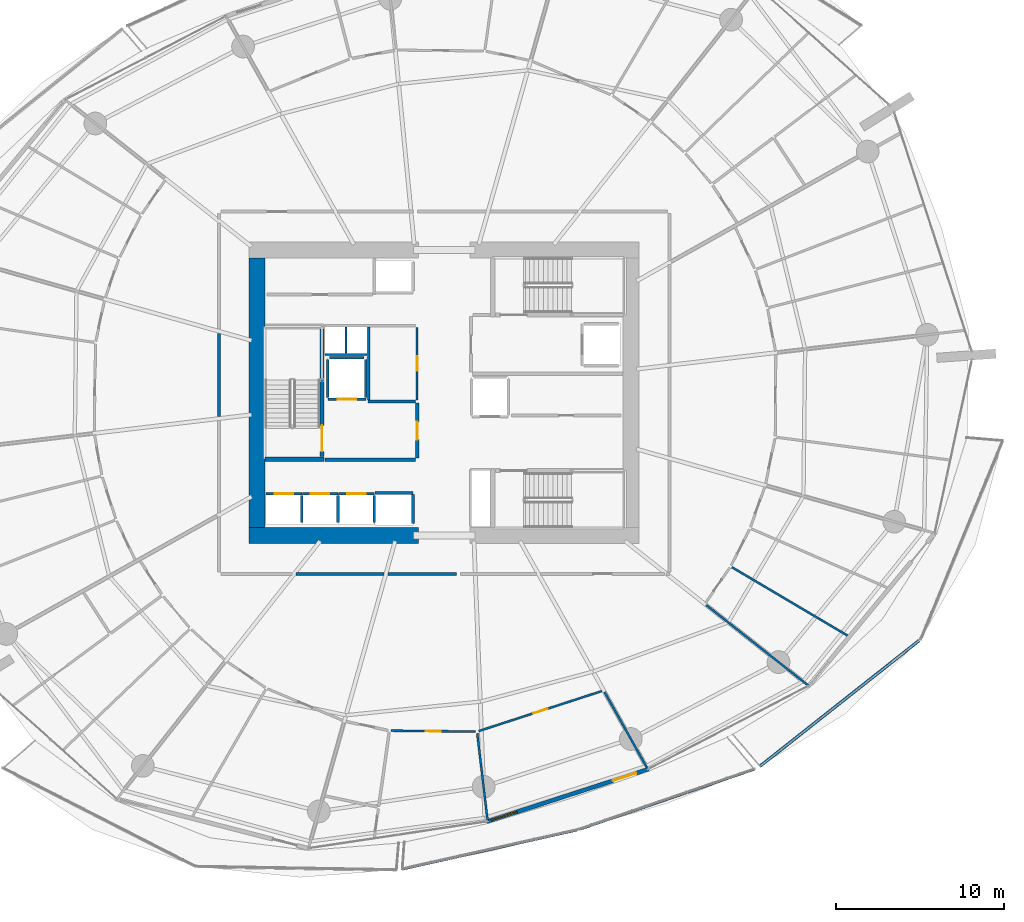
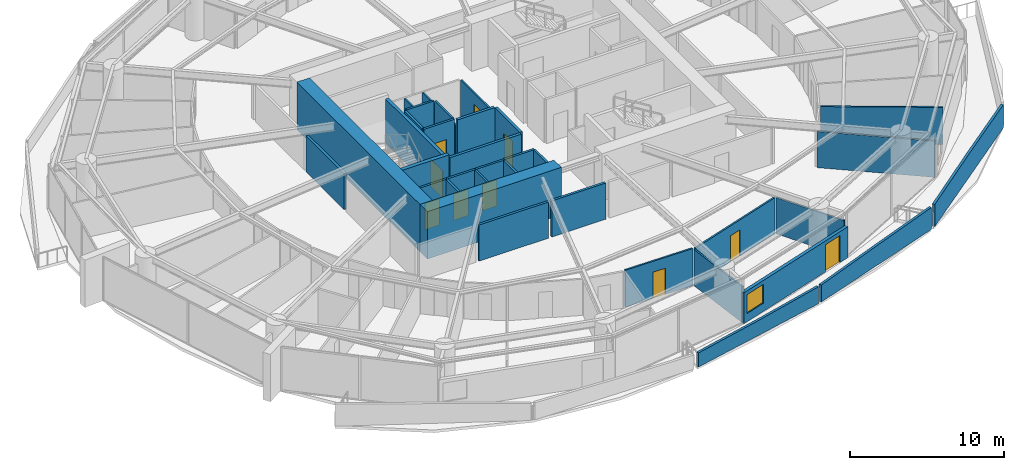
# One storey, part 20 of 31: 36 walls, 10 doors, 1 window, 11 openings.
"""IFC4 building model written with IfcOpenShell, lengths in metres."""

from ifc_helpers import new_model, si_unit, direction, frame, frame_2d, origin, place, context, subcontext, project, spatial, polyline, rectangle, outline, extrude, material, layer, layer_set, type_object, element, fill, save


model = new_model("IFC4")

# Units and contexts
model_context = context("Model", 3, precision=1e-05, world=origin(), true_north=direction((0.0, 1.0)))
body_context = subcontext(model_context, "Body", "Model", "MODEL_VIEW")
ifc_project = project(units=[si_unit("LENGTHUNIT", "METRE"), si_unit("AREAUNIT", "SQUARE_METRE"), si_unit("VOLUMEUNIT", "CUBIC_METRE"), si_unit("PLANEANGLEUNIT", "RADIAN"), si_unit("MASSUNIT", "GRAM", prefix="KILO")], contexts=[model_context])

# Site, building, storey
site_placement = place(None, origin())
site = spatial("IfcSite", under=ifc_project, at=site_placement, CompositionType="ELEMENT")
building_placement = place(site_placement, origin())
building = spatial("IfcBuilding", under=site, at=building_placement, Name="Kazma Halo Residences", CompositionType="ELEMENT")
storey_placement = place(building_placement, frame((0.0, 0.0, 33.89990234375)))
storey = spatial("IfcBuildingStorey", under=building, at=storey_placement, Name="L07", CompositionType="ELEMENT", Elevation=33.89990234375)

# Walls
ifc_material_1 = material(Name="White Concrete C50/60 Balustrade", Category="concrete")
ifc_layer_1 = layer(ifc_material_1, 0.179931640625)
ifc_layer_set_1 = layer_set([ifc_layer_1], Name="White Concrete C50/60 Balustrade")
wall_type_1 = type_object("IfcWallType", Name="WL-BAL-WAVE-180", PredefinedType="PARAPET", material=ifc_layer_set_1)
wall_1_placement = place(storey_placement, frame((45.949462890625, 13.738525390625, 0.0), z_axis=(0.0, 0.0, 1.0), x_axis=(0.975844238529, 0.218467439518, 0.0)))
element("IfcWall", 1, at=wall_1_placement, inside=storey, type_object=wall_type_1, Name="L07 white wave balustrade wall SSE.1", PredefinedType="PARAPET", context=body_context, shape_type="SweptSolid", body=[
    extrude(outline(polyline([(0.0, 0.0), (10.61083984375, 0.0), (10.61083984375, 1.34814453125), (5.305419921875, 1.18212890625), (0.0, 1.1201171875), (0.0, 0.0)])), frame((0.0, 0.08984375, 0.0), z_axis=(0.0, -1.0, 0.0), x_axis=(1.0, 0.0, 0.0)), (0.0, 0.0, 1.0), 0.179931640625),
])
wall_2_placement = place(storey_placement, frame((56.534423828125, 16.121826171875, 0.0), z_axis=(0.0, 0.0, 1.0), x_axis=(0.945564712315, 0.325434132851, 0.0)))
element("IfcWall", 2, at=wall_2_placement, inside=storey, type_object=wall_type_1, Name="L07 white wave balustrade wall SSE.2", PredefinedType="PARAPET", context=body_context, shape_type="SweptSolid", body=[
    extrude(outline(polyline([(0.0, 0.0), (10.8974609375, 0.0), (10.897216796875, 1.7470703125), (5.448486328125, 1.56201171875), (0.0, 1.34814453125), (0.0, 0.0)])), frame((0.0, 0.08984375, 0.0), z_axis=(0.0, -1.0, 0.0), x_axis=(1.0, 0.0, 0.0)), (0.0, 0.0, 1.0), 0.179931640625),
])
wall_3_placement = place(storey_placement, frame((67.171630859375, 19.82861328125, 0.0), z_axis=(0.0, 0.0, 1.0), x_axis=(0.784771193171, 0.619785587416, 0.0)))
element("IfcWall", 3, at=wall_3_placement, inside=storey, type_object=wall_type_1, Name="L07 white wave balustrade wall SE.1", PredefinedType="PARAPET", context=body_context, shape_type="SweptSolid", body=[
    extrude(outline(polyline([(0.0, 0.0), (12.0439453125, 0.0), (12.0439453125, 1.83203125), (6.02197265625, 1.85302734375), (0.0, 1.756103515625), (0.0, 0.0)])), frame((0.0, 0.08984375, 0.0), z_axis=(0.0, -1.0, 0.0), x_axis=(1.0, 0.0, 0.0)), (0.0, 0.0, 1.0), 0.179931640625),
])
ifc_material_2 = material(Name="Concrete C80/95", Category="concrete")
ifc_layer_2 = layer(ifc_material_2, 0.949951171875)
ifc_layer_set_2 = layer_set([ifc_layer_2], Name="Concrete C80/95")
wall_type_2 = type_object("IfcWallType", Name="WL-CORE-950", PredefinedType="SHEAR", material=ifc_layer_set_2)
wall_4_placement = place(storey_placement, frame((36.85009765625, 33.52490234375, 0.0), z_axis=(0.0, 0.0, 1.0), x_axis=(1.0, 0.0, 0.0)))
element("IfcWall", 4, at=wall_4_placement, inside=storey, type_object=wall_type_2, Name="L07 central core shear wall SW", PredefinedType="SHEAR", context=body_context, shape_type="SweptSolid", body=[
    extrude(rectangle(XDim=10.0498046875, YDim=0.949951171875, at=frame_2d((5.02490234375, 0.0))), origin(), (0.0, 0.0, 1.0), 3.75),
])
wall_5_placement = place(storey_placement, frame((37.324951171875, 34.0, 0.0), z_axis=(0.0, 0.0, 1.0), x_axis=(0.0, 1.0, 0.0)))
element("IfcWall", 5, at=wall_5_placement, inside=storey, type_object=wall_type_2, Name="L07 central core shear wall W", PredefinedType="SHEAR", context=body_context, shape_type="SweptSolid", body=[
    extrude(rectangle(XDim=16.0, YDim=0.949951171875, at=frame_2d((8.0, 0.0))), origin(), (0.0, 0.0, 1.0), 3.75),
])
ifc_material_3 = material(Name="Concrete C60/75", Category="concrete")
ifc_layer_3 = layer(ifc_material_3, 0.280029296875)
ifc_layer_set_3 = layer_set([ifc_layer_3], Name="Concrete C60/75")
wall_type_3 = type_object("IfcWallType", Name="WL-CORE-ST-280", PredefinedType="SHEAR", material=ifc_layer_set_3)
wall_6_placement = place(storey_placement, frame((37.800048828125, 38.06005859375, 0.0), z_axis=(0.0, 0.0, 1.0), x_axis=(1.0, 0.0, 0.0)))
element("IfcWall", 6, at=wall_6_placement, inside=storey, type_object=wall_type_3, Name="L07 stairwell bearing wall ST01-S", PredefinedType="SHEAR", context=body_context, shape_type="SweptSolid", body=[
    extrude(rectangle(XDim=3.5, YDim=0.280029296875, at=frame_2d((1.75, 0.0))), origin(), (0.0, 0.0, 1.0), 3.75),
])
ifc_material_4 = material(Name="Acoustic Twin-Stud Gypsum")
ifc_layer_4 = layer(ifc_material_4, 0.179931640625)
ifc_layer_set_4 = layer_set([ifc_layer_4], Name="Acoustic Twin-Stud Gypsum")
wall_type_4 = type_object("IfcWallType", Name="WL-DEM-180", PredefinedType="PARTITIONING", material=ifc_layer_set_4)
wall_7_placement = place(storey_placement, frame((35.050048828125, 45.5322265625, 0.0), z_axis=(0.0, 0.0, 1.0), x_axis=(0.0, -1.0, 0.0)))
element("IfcWall", 7, at=wall_7_placement, inside=storey, type_object=wall_type_4, Name="L07 Apartment 1 inner wall 6", PredefinedType="PARTITIONING", context=body_context, shape_type="SweptSolid", body=[
    extrude(rectangle(XDim=4.94482421875, YDim=0.179931640625, at=frame_2d((2.472412109375, 0.0))), origin(), (0.0, 0.0, 1.0), 2.8671875),
])
wall_8_placement = place(storey_placement, frame((39.6455078125, 31.25, 0.0), z_axis=(0.0, 0.0, 1.0), x_axis=(1.0, 0.0, 0.0)))
element("IfcWall", 8, at=wall_8_placement, inside=storey, type_object=wall_type_4, Name="L07 Apartment 2 inner wall 9", PredefinedType="PARTITIONING", context=body_context, shape_type="SweptSolid", body=[
    extrude(rectangle(XDim=5.20263671875, YDim=0.179931640625, at=frame_2d((2.601318359375, 0.0))), origin(), (0.0, 0.0, 1.0), 2.8671875),
])
wall_9_placement = place(storey_placement, frame((45.088134765625, 31.25, 0.0), z_axis=(0.0, 0.0, 1.0), x_axis=(1.0, 0.0, 0.0)))
element("IfcWall", 9, at=wall_9_placement, inside=storey, type_object=wall_type_4, Name="L07 Apartment 2 inner wall 10", PredefinedType="PARTITIONING", context=body_context, shape_type="SweptSolid", body=[
    extrude(rectangle(XDim=4.064208984375, YDim=0.179931640625, at=frame_2d((2.0322265625, 0.0))), origin(), (0.0, 0.0, 1.0), 2.8671875),
])

# Wall, openings, door, window
ifc_material_5 = material(Name="Insulated Pale-Metal Composite Wall")
ifc_layer_5 = layer(ifc_material_5, 0.239990234375)
ifc_layer_set_5 = layer_set([ifc_layer_5], Name="Insulated Pale-Metal Composite Wall")
wall_type_5 = type_object("IfcWallType", Name="WL-EXT-HOST-240", PredefinedType="SOLIDWALL", material=ifc_layer_set_5)
wall_10_placement = place(storey_placement, frame((50.9638671875, 16.54150390625, 0.0), z_axis=(0.0, 0.0, 1.0), x_axis=(0.951054679225, 0.309022648238, 0.0)))
wall_10 = element("IfcWall", 10, at=wall_10_placement, inside=storey, type_object=wall_type_5, Name="L07 exterior terrace-access wall B12", PredefinedType="SOLIDWALL", context=body_context, shape_type="SweptSolid", body=[
    extrude(rectangle(XDim=10.0966796875, YDim=0.239990234375, at=frame_2d((5.04833984375, 0.0))), origin(), (0.0, 0.0, 1.0), 2.4501953125),
])
opening_1_placement = place(wall_10_placement, frame((7.876708984375, 0.0, 0.0)))
opening_1 = element("IfcOpeningElement", 11, at=opening_1_placement, cuts=wall_10, Name="Opening DTR-1600", PredefinedType="OPENING", context=body_context, shape_type="SweptSolid", body=[
    extrude(rectangle(XDim=1.449951171875, YDim=2.14990234375, at=frame_2d((0.72509765625, 1.074951171875))), frame((0.0, 0.1298828125, 0.0), z_axis=(0.0, -1.0, 0.0), x_axis=(1.0, 0.0, 0.0)), (0.0, 0.0, 1.0), 0.260009765625),
])
opening_2_placement = place(wall_10_placement, frame((0.280029296875, 0.0, 0.64990234375)))
opening_2 = element("IfcOpeningElement", 12, at=opening_2_placement, cuts=wall_10, Name="Opening W-1800", PredefinedType="OPENING", context=body_context, shape_type="SweptSolid", body=[
    extrude(rectangle(XDim=1.60009765625, YDim=1.5, at=frame_2d((0.800048828125, 0.75))), frame((0.0, 0.1298828125, 0.0), z_axis=(0.0, -1.0, 0.0), x_axis=(1.0, 0.0, 0.0)), (0.0, 0.0, 1.0), 0.260009765625),
])
ifc_material_6 = material(Name="Aluminium AW-6063 T6 Double-Glazed Terrace Door", Category="aluminium")
door_type_1 = type_object("IfcDoorType", Name="DR-EXT-TERR-1600", OperationType="NOTDEFINED", PredefinedType="DOOR", material=ifc_material_6)
door_1_placement = place(opening_1_placement, origin())
door_1 = element("IfcDoor", 13, at=door_1_placement, inside=storey, type_object=door_type_1, Name="L07 B12 balcony terrace door", OperationType="DOUBLE_DOOR_SLIDING", OverallHeight=2.14990234375, OverallWidth=1.449951171875, PredefinedType="DOOR", context=body_context, shape_type="SweptSolid", body=[
    extrude(rectangle(XDim=1.449951171875, YDim=2.14990234375, at=frame_2d((0.72509765625, 1.074951171875))), frame((0.0, 0.02490234375, 0.0), z_axis=(0.0, -1.0, 0.0), x_axis=(1.0, 0.0, 0.0)), (0.0, 0.0, 1.0), 0.050048828125),
])
fill(opening_1, door_1)
ifc_material_7 = material(Name="Clear Triple-Silver Low-E Glass in Aluminium AW-6063 T6 Frame", Category="aluminium")
window_type = type_object("IfcWindowType", Name="WIN-RES-1800", PartitioningType="DOUBLE_PANEL_VERTICAL", PredefinedType="WINDOW", material=ifc_material_7)
window_placement = place(opening_2_placement, origin())
window = element("IfcWindow", 14, at=window_placement, inside=storey, type_object=window_type, Name="L07 B12 apartment window", OverallHeight=1.5, OverallWidth=1.60009765625, PartitioningType="SINGLE_PANEL", PredefinedType="WINDOW", context=body_context, shape_type="SweptSolid", body=[
    extrude(rectangle(XDim=1.60009765625, YDim=1.5, at=frame_2d((0.800048828125, 0.75))), frame((0.0, 0.030029296875, 0.0), z_axis=(0.0, -1.0, 0.0), x_axis=(1.0, 0.0, 0.0)), (0.0, 0.0, 1.0), 0.06005859375),
])
fill(opening_2, window)

# Wall, opening, door
ifc_material_8 = material(Name="Fire-Rated Blockwork Masonry", Category="masonry")
ifc_layer_6 = layer(ifc_material_8, 0.199951171875)
ifc_layer_set_6 = layer_set([ifc_layer_6], Name="Fire-Rated Blockwork Masonry")
wall_type_6 = type_object("IfcWallType", Name="WL-FLB-200", PredefinedType="PARTITIONING", material=ifc_layer_set_6)
wall_11_placement = place(storey_placement, frame((37.864990234375, 36.0048828125, 0.0), z_axis=(0.0, 0.0, 1.0), x_axis=(1.0, 0.0, 0.0)))
wall_11 = element("IfcWall", 15, at=wall_11_placement, inside=storey, type_object=wall_type_6, Name="L07 lift shaft PL-01 front wall", PredefinedType="PARTITIONING", context=body_context, shape_type="SweptSolid", body=[
    extrude(rectangle(XDim=2.110107421875, YDim=0.159912109375, at=frame_2d((1.05517578125, 0.0))), origin(), (0.0, 0.0, 1.0), 3.5),
])
opening_3_placement = place(wall_11_placement, frame((0.5048828125, 0.0, 0.0)))
opening_3 = element("IfcOpeningElement", 16, at=opening_3_placement, cuts=wall_11, Name="Opening LD-PL-01", PredefinedType="OPENING", context=body_context, shape_type="SweptSolid", body=[
    extrude(rectangle(XDim=1.10009765625, YDim=2.10009765625, at=frame_2d((0.550048828125, 1.050048828125))), frame((0.0, 0.08984375, 0.0), z_axis=(0.0, -1.0, 0.0), x_axis=(1.0, 0.0, 0.0)), (0.0, 0.0, 1.0), 0.179931640625),
])
ifc_material_9 = material(Name="Stainless Steel Fire-Rated", Category="steel")
door_type_2 = type_object("IfcDoorType", Name="DR-LIFT-SLD-1100", OperationType="DOUBLE_DOOR_SLIDING", PredefinedType="DOOR", material=ifc_material_9)
door_2_placement = place(opening_3_placement, origin())
door_2 = element("IfcDoor", 17, at=door_2_placement, inside=storey, type_object=door_type_2, Name="L07 lift PL-01 sliding landing door", OperationType="DOUBLE_DOOR_SLIDING", OverallHeight=2.10009765625, OverallWidth=1.10009765625, PredefinedType="DOOR", context=body_context, shape_type="SweptSolid", body=[
    extrude(rectangle(XDim=1.10009765625, YDim=2.10009765625, at=frame_2d((0.550048828125, 1.050048828125))), frame((0.0, 0.02490234375, 0.0), z_axis=(0.0, -1.0, 0.0), x_axis=(1.0, 0.0, 0.0)), (0.0, 0.0, 1.0), 0.050048828125),
])
fill(opening_3, door_2)

# Wall
wall_12_placement = place(storey_placement, frame((39.97509765625, 34.294921875, 0.0), z_axis=(0.0, 0.0, 1.0), x_axis=(0.0, 1.0, 0.0)))
element("IfcWall", 18, at=wall_12_placement, inside=storey, type_object=wall_type_6, Name="L07 lift shaft PL-01 side wall E", PredefinedType="PARTITIONING", context=body_context, shape_type="SweptSolid", body=[
    extrude(rectangle(XDim=1.610107421875, YDim=0.159912109375, at=frame_2d((0.80517578125, 0.0))), origin(), (0.0, 0.0, 1.0), 3.5),
])

# Wall, opening, door
wall_13_placement = place(storey_placement, frame((40.014892578125, 36.0048828125, 0.0), z_axis=(0.0, 0.0, 1.0), x_axis=(1.0, 0.0, 0.0)))
wall_13 = element("IfcWall", 19, at=wall_13_placement, inside=storey, type_object=wall_type_6, Name="L07 lift shaft PL-02 front wall", PredefinedType="PARTITIONING", context=body_context, shape_type="SweptSolid", body=[
    extrude(rectangle(XDim=2.110107421875, YDim=0.159912109375, at=frame_2d((1.05517578125, 0.0))), origin(), (0.0, 0.0, 1.0), 3.5),
])
opening_4_placement = place(wall_13_placement, frame((0.5048828125, 0.0, 0.0)))
opening_4 = element("IfcOpeningElement", 20, at=opening_4_placement, cuts=wall_13, Name="Opening LD-PL-02", PredefinedType="OPENING", context=body_context, shape_type="SweptSolid", body=[
    extrude(rectangle(XDim=1.10009765625, YDim=2.10009765625, at=frame_2d((0.550048828125, 1.050048828125))), frame((0.0, 0.08984375, 0.0), z_axis=(0.0, -1.0, 0.0), x_axis=(1.0, 0.0, 0.0)), (0.0, 0.0, 1.0), 0.179931640625),
])
door_3_placement = place(opening_4_placement, origin())
door_3 = element("IfcDoor", 21, at=door_3_placement, inside=storey, type_object=door_type_2, Name="L07 lift PL-02 sliding landing door", OperationType="DOUBLE_DOOR_SLIDING", OverallHeight=2.10009765625, OverallWidth=1.10009765625, PredefinedType="DOOR", context=body_context, shape_type="SweptSolid", body=[
    extrude(rectangle(XDim=1.10009765625, YDim=2.10009765625, at=frame_2d((0.550048828125, 1.050048828125))), frame((0.0, 0.02490234375, 0.0), z_axis=(0.0, -1.0, 0.0), x_axis=(1.0, 0.0, 0.0)), (0.0, 0.0, 1.0), 0.050048828125),
])
fill(opening_4, door_3)

# Wall
wall_14_placement = place(storey_placement, frame((42.125, 34.294921875, 0.0), z_axis=(0.0, 0.0, 1.0), x_axis=(0.0, 1.0, 0.0)))
element("IfcWall", 22, at=wall_14_placement, inside=storey, type_object=wall_type_6, Name="L07 lift shaft PL-02 side wall E", PredefinedType="PARTITIONING", context=body_context, shape_type="SweptSolid", body=[
    extrude(rectangle(XDim=1.610107421875, YDim=0.159912109375, at=frame_2d((0.80517578125, 0.0))), origin(), (0.0, 0.0, 1.0), 3.5),
])

# Wall, opening, door
wall_15_placement = place(storey_placement, frame((42.1650390625, 36.0048828125, 0.0), z_axis=(0.0, 0.0, 1.0), x_axis=(1.0, 0.0, 0.0)))
wall_15 = element("IfcWall", 23, at=wall_15_placement, inside=storey, type_object=wall_type_6, Name="L07 lift shaft PL-03 front wall", PredefinedType="PARTITIONING", context=body_context, shape_type="SweptSolid", body=[
    extrude(rectangle(XDim=2.10986328125, YDim=0.159912109375, at=frame_2d((1.054931640625, 0.0))), origin(), (0.0, 0.0, 1.0), 3.5),
])
opening_5_placement = place(wall_15_placement, frame((0.5048828125, 0.0, 0.0)))
opening_5 = element("IfcOpeningElement", 24, at=opening_5_placement, cuts=wall_15, Name="Opening LD-PL-03", PredefinedType="OPENING", context=body_context, shape_type="SweptSolid", body=[
    extrude(rectangle(XDim=1.10009765625, YDim=2.10009765625, at=frame_2d((0.550048828125, 1.050048828125))), frame((0.0, 0.08984375, 0.0), z_axis=(0.0, -1.0, 0.0), x_axis=(1.0, 0.0, 0.0)), (0.0, 0.0, 1.0), 0.179931640625),
])
door_4_placement = place(opening_5_placement, origin())
door_4 = element("IfcDoor", 25, at=door_4_placement, inside=storey, type_object=door_type_2, Name="L07 lift PL-03 sliding landing door", OperationType="DOUBLE_DOOR_SLIDING", OverallHeight=2.10009765625, OverallWidth=1.10009765625, PredefinedType="DOOR", context=body_context, shape_type="SweptSolid", body=[
    extrude(rectangle(XDim=1.10009765625, YDim=2.10009765625, at=frame_2d((0.550048828125, 1.050048828125))), frame((0.0, 0.02490234375, 0.0), z_axis=(0.0, -1.0, 0.0), x_axis=(1.0, 0.0, 0.0)), (0.0, 0.0, 1.0), 0.050048828125),
])
fill(opening_5, door_4)

# Walls
wall_16_placement = place(storey_placement, frame((44.27490234375, 34.294921875, 0.0), z_axis=(0.0, 0.0, 1.0), x_axis=(0.0, 1.0, 0.0)))
element("IfcWall", 26, at=wall_16_placement, inside=storey, type_object=wall_type_6, Name="L07 lift shaft PL-03 side wall E", PredefinedType="PARTITIONING", context=body_context, shape_type="SweptSolid", body=[
    extrude(rectangle(XDim=1.610107421875, YDim=0.159912109375, at=frame_2d((0.80517578125, 0.0))), origin(), (0.0, 0.0, 1.0), 3.5),
])
wall_17_placement = place(storey_placement, frame((44.320068359375, 36.054931640625, 0.0), z_axis=(0.0, 0.0, 1.0), x_axis=(1.0, 0.0, 0.0)))
element("IfcWall", 27, at=wall_17_placement, inside=storey, type_object=wall_type_6, Name="L07 lift shaft PX-02 front wall", PredefinedType="PARTITIONING", context=body_context, shape_type="SweptSolid", body=[
    extrude(rectangle(XDim=2.260009765625, YDim=0.159912109375, at=frame_2d((1.1298828125, 0.0))), origin(), (0.0, 0.0, 1.0), 3.5),
])
wall_18_placement = place(storey_placement, frame((46.580078125, 34.2451171875, 0.0), z_axis=(0.0, 0.0, 1.0), x_axis=(0.0, 1.0, 0.0)))
element("IfcWall", 28, at=wall_18_placement, inside=storey, type_object=wall_type_6, Name="L07 lift shaft PX-02 side wall E", PredefinedType="PARTITIONING", context=body_context, shape_type="SweptSolid", body=[
    extrude(rectangle(XDim=1.7099609375, YDim=0.159912109375, at=frame_2d((0.85498046875, 0.0))), origin(), (0.0, 0.0, 1.0), 3.5),
])

# Wall, opening, door
wall_19_placement = place(storey_placement, frame((43.780029296875, 41.6201171875, 0.0), z_axis=(0.0, 0.0, 1.0), x_axis=(-1.0, 0.0, 0.0)))
wall_19 = element("IfcWall", 29, at=wall_19_placement, inside=storey, type_object=wall_type_6, Name="L07 lift shaft FL-01 front wall", PredefinedType="PARTITIONING", context=body_context, shape_type="SweptSolid", body=[
    extrude(rectangle(XDim=2.260009765625, YDim=0.159912109375, at=frame_2d((1.1298828125, 0.0))), origin(), (0.0, 0.0, 1.0), 3.5),
])
opening_6_placement = place(wall_19_placement, frame((0.580078125, 0.0, 0.0)))
opening_6 = element("IfcOpeningElement", 30, at=opening_6_placement, cuts=wall_19, Name="Opening LD-FL-01", PredefinedType="OPENING", context=body_context, shape_type="SweptSolid", body=[
    extrude(rectangle(XDim=1.10009765625, YDim=2.10009765625, at=frame_2d((0.550048828125, 1.050048828125))), frame((0.0, 0.08984375, 0.0), z_axis=(0.0, -1.0, 0.0), x_axis=(1.0, 0.0, 0.0)), (0.0, 0.0, 1.0), 0.179931640625),
])
door_5_placement = place(opening_6_placement, origin())
door_5 = element("IfcDoor", 31, at=door_5_placement, inside=storey, type_object=door_type_2, Name="L07 lift FL-01 sliding landing door", OperationType="DOUBLE_DOOR_SLIDING", OverallHeight=2.10009765625, OverallWidth=1.10009765625, PredefinedType="DOOR", context=body_context, shape_type="SweptSolid", body=[
    extrude(rectangle(XDim=1.10009765625, YDim=2.10009765625, at=frame_2d((0.550048828125, 1.050048828125))), frame((0.0, 0.02490234375, 0.0), z_axis=(0.0, -1.0, 0.0), x_axis=(1.0, 0.0, 0.0)), (0.0, 0.0, 1.0), 0.050048828125),
])
fill(opening_6, door_5)

# Walls
for number, where, z_axis, x_axis, name in (
    (32, (43.780029296875, 41.719970703125, 0.0), (0.0, 0.0, 1.0), (0.0, 1.0, 0.0), "L07 lift shaft FL-01 side wall E"),
    (33, (41.52001953125, 41.719970703125, 0.0), (0.0, 0.0, 1.0), (0.0, 1.0, 0.0), "L07 lift shaft FL-01 side wall W"),
):
    element("IfcWall", number, at=place(storey_placement, frame(where, z_axis=z_axis, x_axis=x_axis)), inside=storey, type_object=wall_type_6, Name=name, PredefinedType="PARTITIONING", context=body_context, shape_type="SweptSolid", body=[
        extrude(rectangle(XDim=2.260009765625, YDim=0.159912109375, at=frame_2d((1.1298828125, 0.0))), origin(), (0.0, 0.0, 1.0), 3.5),
    ])
wall_20_placement = place(storey_placement, frame((41.6201171875, 44.080078125, 0.0), z_axis=(0.0, 0.0, 1.0), x_axis=(1.0, 0.0, 0.0)))
element("IfcWall", 34, at=wall_20_placement, inside=storey, type_object=wall_type_6, Name="L07 lift shaft FL-01 side wall N", PredefinedType="PARTITIONING", context=body_context, shape_type="SweptSolid", body=[
    extrude(rectangle(XDim=2.059814453125, YDim=0.159912109375, at=frame_2d((1.02978515625, 0.0))), origin(), (0.0, 0.0, 1.0), 3.5),
])
wall_21_placement = place(storey_placement, frame((41.35009765625, 38.02001953125, 0.0), z_axis=(0.0, 0.0, 1.0), x_axis=(1.0, 0.0, 0.0)))
element("IfcWall", 35, at=wall_21_placement, inside=storey, type_object=wall_type_6, Name="L07 west firefighting lobby south smoke wall", PredefinedType="PARTITIONING", context=body_context, shape_type="SweptSolid", body=[
    extrude(rectangle(XDim=5.369873046875, YDim=0.199951171875, at=frame_2d((2.68505859375, 0.0))), origin(), (0.0, 0.0, 1.0), 3.5),
])
wall_22_placement = place(storey_placement, frame((43.919921875, 41.47998046875, 0.0), z_axis=(0.0, 0.0, 1.0), x_axis=(1.0, 0.0, 0.0)))
element("IfcWall", 36, at=wall_22_placement, inside=storey, type_object=wall_type_6, Name="L07 west firefighting lobby north smoke wall", PredefinedType="PARTITIONING", context=body_context, shape_type="SweptSolid", body=[
    extrude(rectangle(XDim=2.800048828125, YDim=0.199951171875, at=frame_2d((1.39990234375, 0.0))), origin(), (0.0, 0.0, 1.0), 3.5),
])

# Wall, opening, door
wall_23_placement = place(storey_placement, frame((46.820068359375, 38.1201171875, 0.0), z_axis=(0.0, 0.0, 1.0), x_axis=(0.0, 1.0, 0.0)))
wall_23 = element("IfcWall", 37, at=wall_23_placement, inside=storey, type_object=wall_type_6, Name="L07 west firefighting lobby smoke wall", PredefinedType="PARTITIONING", context=body_context, shape_type="SweptSolid", body=[
    extrude(rectangle(XDim=3.259765625, YDim=0.199951171875, at=frame_2d((1.6298828125, 0.0))), origin(), (0.0, 0.0, 1.0), 3.5),
])
opening_7_placement = place(wall_23_placement, frame((1.10498046875, 0.0, 0.0)))
opening_7 = element("IfcOpeningElement", 38, at=opening_7_placement, cuts=wall_23, Name="Opening D-FLW", PredefinedType="OPENING", context=body_context, shape_type="SweptSolid", body=[
    extrude(rectangle(XDim=1.050048828125, YDim=2.10009765625, at=frame_2d((0.52490234375, 1.050048828125))), frame((0.0, 0.10986328125, 0.0), z_axis=(0.0, -1.0, 0.0), x_axis=(1.0, 0.0, 0.0)), (0.0, 0.0, 1.0), 0.219970703125),
])
ifc_material_10 = material(Name="Fire-Rated Steel Leaf", Category="steel")
door_type_3 = type_object("IfcDoorType", Name="DR-FD90-1050", OperationType="NOTDEFINED", PredefinedType="DOOR", material=ifc_material_10)
door_6_placement = place(opening_7_placement, origin())
door_6 = element("IfcDoor", 39, at=door_6_placement, inside=storey, type_object=door_type_3, Name="L07 west firefighting lobby smoke door", OperationType="SINGLE_SWING_RIGHT", OverallHeight=2.10009765625, OverallWidth=1.050048828125, PredefinedType="DOOR", context=body_context, shape_type="SweptSolid", body=[
    extrude(rectangle(XDim=1.050048828125, YDim=2.10009765625, at=frame_2d((0.52490234375, 1.050048828125))), frame((0.0, 0.02490234375, 0.0), z_axis=(0.0, -1.0, 0.0), x_axis=(1.0, 0.0, 0.0)), (0.0, 0.0, 1.0), 0.050048828125),
])
fill(opening_7, door_6)

# Walls
ifc_material_11 = material(Name="Gypsum Plasterboard Partition")
ifc_layer_7 = layer(ifc_material_11, 0.125)
ifc_layer_set_7 = layer_set([ifc_layer_7], Name="Gypsum Plasterboard Partition")
wall_type_7 = type_object("IfcWallType", Name="WL-PART-125", PredefinedType="PARTITIONING", material=ifc_layer_set_7)
wall_24_placement = place(storey_placement, frame((41.360107421875, 44.260009765625, 0.0), z_axis=(0.0, 0.0, 1.0), x_axis=(1.0, 0.0, 0.0)))
element("IfcWall", 40, at=wall_24_placement, inside=storey, type_object=wall_type_7, Name="L07 core riser south wall", PredefinedType="PARTITIONING", context=body_context, shape_type="SweptSolid", body=[
    extrude(rectangle(XDim=2.5, YDim=0.125, at=frame_2d((1.25, 0.0))), origin(), (0.0, 0.0, 1.0), 2.940185546875),
])
wall_25_placement = place(storey_placement, frame((42.60009765625, 44.35009765625, 0.0), z_axis=(0.0, 0.0, 1.0), x_axis=(0.0, 1.0, 0.0)))
element("IfcWall", 41, at=wall_25_placement, inside=storey, type_object=wall_type_7, Name="L07 core riser divider wall", PredefinedType="PARTITIONING", context=body_context, shape_type="SweptSolid", body=[
    extrude(rectangle(XDim=1.5498046875, YDim=0.125, at=frame_2d((0.77490234375, 0.0))), origin(), (0.0, 0.0, 1.0), 2.940185546875),
])
wall_26_placement = place(storey_placement, frame((43.949951171875, 41.580078125, 0.0), z_axis=(0.0, 0.0, 1.0), x_axis=(0.0, 1.0, 0.0)))
element("IfcWall", 42, at=wall_26_placement, inside=storey, type_object=wall_type_7, Name="L07 core service west wall", PredefinedType="PARTITIONING", context=body_context, shape_type="SweptSolid", body=[
    extrude(rectangle(XDim=4.31982421875, YDim=0.125, at=frame_2d((2.159912109375, 0.0))), origin(), (0.0, 0.0, 1.0), 2.940185546875),
])

# Wall, opening, door
wall_27_placement = place(storey_placement, frame((46.820068359375, 41.580078125, 0.0), z_axis=(0.0, 0.0, 1.0), x_axis=(0.0, 1.0, 0.0)))
wall_27 = element("IfcWall", 43, at=wall_27_placement, inside=storey, type_object=wall_type_7, Name="L07 core service room east wall", PredefinedType="PARTITIONING", context=body_context, shape_type="SweptSolid", body=[
    extrude(rectangle(XDim=4.2998046875, YDim=0.125, at=frame_2d((2.14990234375, 0.0))), origin(), (0.0, 0.0, 1.0), 2.940185546875),
])
opening_8_placement = place(wall_27_placement, frame((1.72509765625, 0.0, 0.0)))
opening_8 = element("IfcOpeningElement", 44, at=opening_8_placement, cuts=wall_27, Name="Opening DS-850", PredefinedType="OPENING", context=body_context, shape_type="SweptSolid", body=[
    extrude(rectangle(XDim=0.85009765625, YDim=2.06005859375, at=frame_2d((0.425048828125, 1.030029296875))), frame((0.0, 0.072509765625, 0.0), z_axis=(0.0, -1.0, 0.0), x_axis=(1.0, 0.0, 0.0)), (0.0, 0.0, 1.0), 0.14501953125),
])
ifc_material_12 = material(Name="Painted Steel Access Leaf", Category="steel")
door_type_4 = type_object("IfcDoorType", Name="DR-SVC-850", OperationType="NOTDEFINED", PredefinedType="DOOR", material=ifc_material_12)
door_7_placement = place(opening_8_placement, origin())
door_7 = element("IfcDoor", 45, at=door_7_placement, inside=storey, type_object=door_type_4, Name="L07 core service room door", OperationType="SINGLE_SWING_RIGHT", OverallHeight=2.06005859375, OverallWidth=0.85009765625, PredefinedType="DOOR", context=body_context, shape_type="SweptSolid", body=[
    extrude(rectangle(XDim=0.85009765625, YDim=2.06005859375, at=frame_2d((0.425048828125, 1.030029296875))), frame((0.0, 0.02490234375, 0.0), z_axis=(0.0, -1.0, 0.0), x_axis=(1.0, 0.0, 0.0)), (0.0, 0.0, 1.0), 0.050048828125),
])
fill(opening_8, door_7)

wall_28_placement = place(storey_placement, frame((45.267822265625, 21.943603515625, 0.0), z_axis=(0.0, 0.0, 1.0), x_axis=(0.999939426187, -0.011006541512, 0.0)))
wall_28 = element("IfcWall", 46, at=wall_28_placement, inside=storey, type_object=wall_type_7, Name="L07 Apartment 2 Inner Master Bedroom hall wall", PredefinedType="PARTITIONING", context=body_context, shape_type="SweptSolid", body=[
    extrude(rectangle(XDim=5.012939453125, YDim=0.125, at=frame_2d((2.50634765625, 0.0))), origin(), (0.0, 0.0, 1.0), 2.940185546875),
])
opening_9_placement = place(wall_28_placement, frame((2.056396484375, 0.0, 0.0)))
opening_9 = element("IfcOpeningElement", 47, at=opening_9_placement, cuts=wall_28, Name="Opening DI-950", PredefinedType="OPENING", context=body_context, shape_type="SweptSolid", body=[
    extrude(rectangle(XDim=0.89990234375, YDim=2.080078125, at=frame_2d((0.449951171875, 1.0400390625))), frame((0.0, 0.072509765625, 0.0), z_axis=(0.0, -1.0, 0.0), x_axis=(1.0, 0.0, 0.0)), (0.0, 0.0, 1.0), 0.14501953125),
])
ifc_material_13 = material(Name="Timber Veneer Flush Leaf", Category="wood")
door_type_5 = type_object("IfcDoorType", Name="DR-INT-950", OperationType="NOTDEFINED", PredefinedType="DOOR", material=ifc_material_13)
door_8_placement = place(opening_9_placement, origin())
door_8 = element("IfcDoor", 48, at=door_8_placement, inside=storey, type_object=door_type_5, Name="L07 Apartment 2 Inner Master Bedroom door", OperationType="SINGLE_SWING_RIGHT", OverallHeight=2.080078125, OverallWidth=0.89990234375, PredefinedType="DOOR", context=body_context, shape_type="SweptSolid", body=[
    extrude(rectangle(XDim=0.89990234375, YDim=2.080078125, at=frame_2d((0.449951171875, 1.0400390625))), frame((0.0, 0.02490234375, 0.0), z_axis=(0.0, -1.0, 0.0), x_axis=(1.0, 0.0, 0.0)), (0.0, 0.0, 1.0), 0.050048828125),
])
fill(opening_9, door_8)

# Walls
wall_29_placement = place(storey_placement, frame((50.392333984375, 21.7880859375, 0.0), z_axis=(0.0, 0.0, 1.0), x_axis=(0.11749238711, -0.993073783246, 0.0)))
element("IfcWall", 49, at=wall_29_placement, inside=storey, type_object=wall_type_7, Name="L07 Apartment 2 radial partition 11", PredefinedType="PARTITIONING", context=body_context, shape_type="SweptSolid", body=[
    extrude(rectangle(XDim=5.24267578125, YDim=0.125, at=frame_2d((2.621337890625, 0.0))), origin(), (0.0, 0.0, 1.0), 2.8671875),
])
wall_30_placement = place(storey_placement, frame((57.94482421875, 24.2421875, 0.0), z_axis=(0.0, 0.0, 1.0), x_axis=(0.488630834306, -0.872490634772, 0.0)))
element("IfcWall", 50, at=wall_30_placement, inside=storey, type_object=wall_type_7, Name="L07 Apartment 2 living radial partition 11", PredefinedType="PARTITIONING", context=body_context, shape_type="SweptSolid", body=[
    extrude(rectangle(XDim=5.142822265625, YDim=0.125, at=frame_2d((2.5712890625, 0.0))), origin(), (0.0, 0.0, 1.0), 2.8671875),
])

# Wall, opening, door
wall_31_placement = place(storey_placement, frame((50.485107421875, 21.92138671875, 0.0), z_axis=(0.0, 0.0, 1.0), x_axis=(0.951055318468, 0.309020680883, 0.0)))
wall_31 = element("IfcWall", 51, at=wall_31_placement, inside=storey, type_object=wall_type_7, Name="L07 Apartment 2 Outer Formal Dining Room gallery wall", PredefinedType="PARTITIONING", context=body_context, shape_type="SweptSolid", body=[
    extrude(rectangle(XDim=7.682373046875, YDim=0.125, at=frame_2d((3.84130859375, 0.0))), origin(), (0.0, 0.0, 1.0), 2.8671875),
])
opening_10_placement = place(wall_31_placement, frame((3.39111328125, 0.0, 0.0)))
opening_10 = element("IfcOpeningElement", 52, at=opening_10_placement, cuts=wall_31, Name="Opening DI-950", PredefinedType="OPENING", context=body_context, shape_type="SweptSolid", body=[
    extrude(rectangle(XDim=0.89990234375, YDim=2.080078125, at=frame_2d((0.449951171875, 1.0400390625))), frame((0.0, 0.072509765625, 0.0), z_axis=(0.0, -1.0, 0.0), x_axis=(1.0, 0.0, 0.0)), (0.0, 0.0, 1.0), 0.14501953125),
])
door_9_placement = place(opening_10_placement, origin())
door_9 = element("IfcDoor", 53, at=door_9_placement, inside=storey, type_object=door_type_5, Name="L07 Apartment 2 Outer Formal Dining Room door", OperationType="SINGLE_SWING_LEFT", OverallHeight=2.080078125, OverallWidth=0.89990234375, PredefinedType="DOOR", context=body_context, shape_type="SweptSolid", body=[
    extrude(rectangle(XDim=0.89990234375, YDim=2.080078125, at=frame_2d((0.449951171875, 1.0400390625))), frame((0.0, 0.02490234375, 0.0), z_axis=(0.0, -1.0, 0.0), x_axis=(1.0, 0.0, 0.0)), (0.0, 0.0, 1.0), 0.050048828125),
])
fill(opening_10, door_9)

# Walls
wall_32_placement = place(storey_placement, frame((63.9833984375, 29.399658203125, 0.0), z_axis=(0.0, 0.0, 1.0), x_axis=(0.785322984339, -0.619086270457, 0.0)))
element("IfcWall", 54, at=wall_32_placement, inside=storey, type_object=wall_type_7, Name="L07 Apartment 2 radial partition 13", PredefinedType="PARTITIONING", context=body_context, shape_type="SweptSolid", body=[
    extrude(rectangle(XDim=7.71923828125, YDim=0.125, at=frame_2d((3.859619140625, 0.0))), origin(), (0.0, 0.0, 1.0), 2.8671875),
])
wall_33_placement = place(storey_placement, frame((65.510009765625, 31.64453125, 0.0), z_axis=(0.0, 0.0, 1.0), x_axis=(0.86074163886, -0.509042072065, 0.0)))
element("IfcWall", 55, at=wall_33_placement, inside=storey, type_object=wall_type_7, Name="L07 Apartment 2 bay wall 1 13", PredefinedType="PARTITIONING", context=body_context, shape_type="SweptSolid", body=[
    extrude(rectangle(XDim=7.9677734375, YDim=0.125, at=frame_2d((3.98388671875, 0.0))), origin(), (0.0, 0.0, 1.0), 2.940185546875),
])

# Wall, opening, door
ifc_material_14 = material(Name="Concrete C50/60", Category="concrete")
ifc_layer_8 = layer(ifc_material_14, 0.25)
ifc_layer_set_8 = layer_set([ifc_layer_8], Name="Concrete C50/60")
wall_type_8 = type_object("IfcWallType", Name="WL-SHF-250", PredefinedType="SOLIDWALL", material=ifc_layer_set_8)
wall_34_placement = place(storey_placement, frame((41.179931640625, 38.219970703125, 0.0), z_axis=(0.0, 0.0, 1.0), x_axis=(0.0, 1.0, 0.0)))
wall_34 = element("IfcWall", 56, at=wall_34_placement, inside=storey, type_object=wall_type_8, Name="L07 exit stair ST-01 enclosure wall", PredefinedType="SOLIDWALL", context=body_context, shape_type="SweptSolid", body=[
    extrude(rectangle(XDim=7.56005859375, YDim=0.25, at=frame_2d((3.780029296875, 0.0))), origin(), (0.0, 0.0, 1.0), 3.5),
])
opening_11_placement = place(wall_34_placement, frame((0.300048828125, 0.0, 0.0)))
opening_11 = element("IfcOpeningElement", 57, at=opening_11_placement, cuts=wall_34, Name="Opening D-ST1", PredefinedType="OPENING", context=body_context, shape_type="SweptSolid", body=[
    extrude(rectangle(XDim=1.550048828125, YDim=2.14990234375, at=frame_2d((0.77490234375, 1.074951171875))), frame((0.0, 0.135009765625, 0.0), z_axis=(0.0, -1.0, 0.0), x_axis=(1.0, 0.0, 0.0)), (0.0, 0.0, 1.0), 0.27001953125),
])
ifc_material_15 = material(Name="Fire-Rated Double Steel Leaf", Category="steel")
door_type_6 = type_object("IfcDoorType", Name="DR-FD90-1550", OperationType="NOTDEFINED", PredefinedType="DOOR", material=ifc_material_15)
door_10_placement = place(opening_11_placement, origin())
door_10 = element("IfcDoor", 58, at=door_10_placement, inside=storey, type_object=door_type_6, Name="L07 exit stair ST-01 fire door", OperationType="DOUBLE_DOOR_SINGLE_SWING", OverallHeight=2.14990234375, OverallWidth=1.550048828125, PredefinedType="DOOR", context=body_context, shape_type="SweptSolid", body=[
    extrude(rectangle(XDim=1.550048828125, YDim=2.14990234375, at=frame_2d((0.77490234375, 1.074951171875))), frame((0.0, 0.02490234375, 0.0), z_axis=(0.0, -1.0, 0.0), x_axis=(1.0, 0.0, 0.0)), (0.0, 0.0, 1.0), 0.050048828125),
])
fill(opening_11, door_10)

save(model, "model.ifc")
